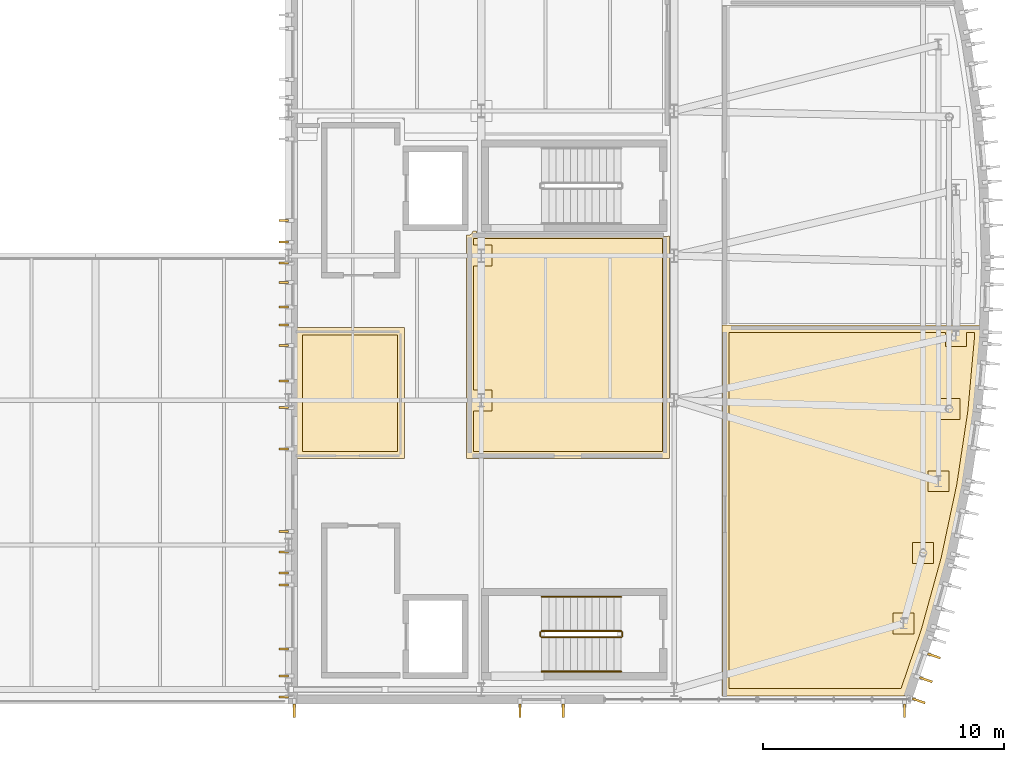
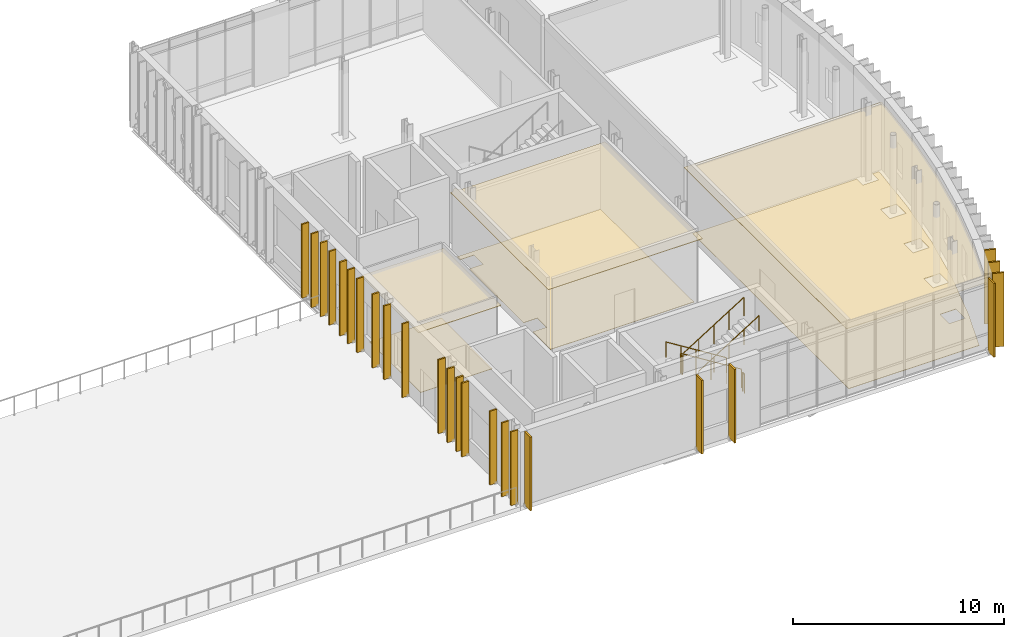
# One storey, part 60 of 62: 30 coverings, 6 railings.
"""IFC4 building model written with IfcOpenShell, lengths in metres."""

import ifcopenshell
import ifcopenshell.guid

model = None  # the IFC model being written
_history = None  # IfcOwnerHistory: only IFC2X3 demands one
_inside = {}  # id of a spatial element -> (the spatial element, [elements in it])
_under = {}  # id of a project, library or spatial element -> (it, [spatial elements below it])
_declared = {}  # id of a project -> (the project, [libraries it declares])
_typed = {}  # id of a type object -> (the type object, [elements of that type])
_made_of = {}  # id of a material, layer set ... -> (it, [elements and type objects made of it])


def new_model(schema):
    """Start an empty IFC model of exactly this schema.

    Asked for "IFC4X3", IfcOpenShell would pick the latest addendum, in which some entities
    have other attributes; the version numbers below select the first issue.
    IFC2X3 requires an IfcOwnerHistory on every rooted entity: one is made here for all.
    """
    global model, _history
    if schema == "IFC4X3":
        model = ifcopenshell.file(schema_version=(4, 3, 0, 0))
    else:
        model = ifcopenshell.file(schema=schema)
    _inside.clear()
    _under.clear()
    _declared.clear()
    _typed.clear()
    _made_of.clear()
    _history = None
    if model.schema == "IFC2X3":
        org = make("IfcOrganization", Name="unknown")
        user = make(
            "IfcPersonAndOrganization",
            ThePerson=make("IfcPerson", FamilyName="unknown"),
            TheOrganization=org,
        )
        app = make(
            "IfcApplication",
            ApplicationDeveloper=org,
            Version="unknown",
            ApplicationFullName="unknown",
            ApplicationIdentifier="unknown",
        )
        _history = make(
            "IfcOwnerHistory",
            OwningUser=user,
            OwningApplication=app,
            ChangeAction="ADDED",
            CreationDate=0,
        )
    return model


def make(cls, **values):
    """One entity of the class cls with the attributes given. An attribute that is None is left unset."""
    return model.create_entity(
        cls, **{name: value for name, value in values.items() if value is not None}
    )


def rooted(cls, **values):
    """An entity with a GlobalId (a new one), such as an element, a storey or a relation."""
    return make(cls, GlobalId=ifcopenshell.guid.new(), OwnerHistory=_history, **values)


def si_unit(unit_type, name, prefix=None):
    """IfcSIUnit, for example si_unit("LENGTHUNIT", "METRE", prefix="MILLI")."""
    return make("IfcSIUnit", UnitType=unit_type, Prefix=prefix, Name=name)


def assignment(units):
    """IfcUnitAssignment: the units of a project."""
    return None if units is None else make("IfcUnitAssignment", Units=units)


def point(xyz):
    """IfcCartesianPoint."""
    return None if xyz is None else make("IfcCartesianPoint", Coordinates=xyz)


def direction(xyz):
    """IfcDirection."""
    return None if xyz is None else make("IfcDirection", DirectionRatios=xyz)


def frame(location, z_axis=None, x_axis=None):
    """IfcAxis2Placement3D, a coordinate frame: its origin and axes. An axis left out is left unset."""
    return make(
        "IfcAxis2Placement3D",
        Location=point(location),
        Axis=direction(z_axis),
        RefDirection=direction(x_axis),
    )


def frame_2d(location, x_axis=None):
    """IfcAxis2Placement2D, a coordinate frame in the plane: its origin and x axis."""
    return make(
        "IfcAxis2Placement2D", Location=point(location), RefDirection=direction(x_axis)
    )


def origin():
    """The frame at (0, 0, 0) with its axes left unset."""
    return frame((0.0, 0.0, 0.0))


def origin_2d():
    """The frame at (0, 0) in the plane with its x axis left unset."""
    return frame_2d((0.0, 0.0))


def place(relative_to, where):
    """IfcLocalPlacement: puts the frame where relative to a parent placement (None: the world)."""
    return make(
        "IfcLocalPlacement", PlacementRelTo=relative_to, RelativePlacement=where
    )


def context(
    kind, dimensions, precision=None, world=None, true_north=None, identifier=None
):
    """IfcGeometricRepresentationContext, for example the 3D "Model" context."""
    return make(
        "IfcGeometricRepresentationContext",
        ContextIdentifier=identifier,
        ContextType=kind,
        CoordinateSpaceDimension=dimensions,
        Precision=precision,
        WorldCoordinateSystem=world,
        TrueNorth=true_north,
    )


def subcontext(parent, identifier, kind, view, scale=None):
    """IfcGeometricRepresentationSubContext, for example "Body" below "Model"."""
    return make(
        "IfcGeometricRepresentationSubContext",
        ContextIdentifier=identifier,
        ContextType=kind,
        ParentContext=parent,
        TargetScale=scale,
        TargetView=view,
    )


def project(units=None, contexts=None):
    """IfcProject with its units and contexts."""
    return rooted(
        "IfcProject",
        Name="project",
        RepresentationContexts=contexts,
        UnitsInContext=assignment(units),
    )


def spatial(cls, under=None, at=None, **own):
    """A site, building, storey or space (cls), placed at a placement, below another one or the project."""
    s = rooted(cls, ObjectPlacement=at, **own)
    if under is not None:
        _under.setdefault(under.id(), (under, []))[1].append(s)
    return s


def polyline(points):
    """IfcPolyline through the points."""
    return make("IfcPolyline", Points=[point(p) for p in points])


def profile(cls, at=None, kind="AREA", **sizes):
    """A parametric profile (cls). Its sizes go by their IFC names, for example OverallWidth=200.0."""
    return make(cls, ProfileType=kind, Position=at, **sizes)


def rectangle(**sizes):
    """IfcRectangleProfileDef."""
    return profile("IfcRectangleProfileDef", **sizes)


def circle(**sizes):
    """IfcCircleProfileDef."""
    return profile("IfcCircleProfileDef", **sizes)


def outline(outer, holes=None, kind="AREA"):
    """IfcArbitraryClosedProfileDef: a profile drawn as a closed curve; with holes, ...WithVoids."""
    if holes is None:
        return make("IfcArbitraryClosedProfileDef", ProfileType=kind, OuterCurve=outer)
    return make(
        "IfcArbitraryProfileDefWithVoids",
        ProfileType=kind,
        OuterCurve=outer,
        InnerCurves=holes,
    )


def extrude(swept, where, along, depth):
    """IfcExtrudedAreaSolid: the profile swept, set in the frame where, extruded along a direction by depth."""
    return make(
        "IfcExtrudedAreaSolid",
        SweptArea=swept,
        Position=where,
        ExtrudedDirection=direction(along),
        Depth=depth,
    )


def shape(context_of_items, identifier, shape_type, items):
    """IfcShapeRepresentation: the items that make up one representation, for example the "Body"."""
    return make(
        "IfcShapeRepresentation",
        ContextOfItems=context_of_items,
        RepresentationIdentifier=identifier,
        RepresentationType=shape_type,
        Items=items,
    )


def material(Name=None, Category=None):
    """IfcMaterial."""
    return make("IfcMaterial", Name=Name, Category=Category)


def layer(
    of_material, thickness, ventilated=None, Name=None, Category=None, Priority=None
):
    """IfcMaterialLayer: one layer of a wall or slab, of a material (None: an air gap)."""
    return make(
        "IfcMaterialLayer",
        Material=of_material,
        LayerThickness=thickness,
        IsVentilated=ventilated,
        Name=Name,
        Category=Category,
        Priority=Priority,
    )


def layer_set(layers, Name=None):
    """IfcMaterialLayerSet."""
    return make("IfcMaterialLayerSet", MaterialLayers=layers, LayerSetName=Name)


def made_of(thing, what):
    """Note that an element or type object is made of a material, layer set ...; save() writes the relation."""
    if what is not None:
        _made_of.setdefault(what.id(), (what, []))[1].append(thing)
    return thing


def type_object(cls, material=None, **own):
    """A type object (cls), such as IfcWallType, which elements share."""
    return made_of(rooted(cls, **own), material)


def element(
    cls,
    number,
    at=None,
    inside=None,
    cuts=None,
    type_object=None,
    material=None,
    context=None,
    identifier="Body",
    shape_type=None,
    held_by="IfcProductDefinitionShape",
    body=None,
    shapes=None,
    **own,
):
    """One element of the class cls, such as IfcWall. Its Tag is "e" and its number.

    at: its placement. inside: the storey or other place that contains it. cuts: it is an
    opening in that element (IfcRelVoidsElement). A single representation is given by context,
    identifier, shape_type and body (its items); several are given by shapes. held_by: the class
    of the entity that holds the representations. save() writes the other relations.
    """
    e = rooted(cls, Tag="e%d" % number, ObjectPlacement=at, **own)
    if body is not None:
        shapes = [shape(context, identifier, shape_type, body)]
    if shapes is not None:
        e.Representation = make(held_by, Representations=shapes)
    if inside is not None:
        _inside.setdefault(inside.id(), (inside, []))[1].append(e)
    if cuts is not None:
        rooted(
            "IfcRelVoidsElement", RelatingBuildingElement=cuts, RelatedOpeningElement=e
        )
    if type_object is not None:
        _typed.setdefault(type_object.id(), (type_object, []))[1].append(e)
    return made_of(e, material)


def aggregate(whole, parts):
    """IfcRelAggregates: a whole, such as a stair, and the parts it consists of."""
    return rooted("IfcRelAggregates", RelatingObject=whole, RelatedObjects=parts)


def save(model, path):
    """Write the relations noted so far, then the file.

    IfcRelAggregates (storeys below a building ...), IfcRelContainedInSpatialStructure (elements
    in a storey), IfcRelDefinesByType, IfcRelAssociatesMaterial and IfcRelDeclares: one each for
    every whole, place, type object, material and project.
    """
    for whole, parts in _under.values():
        aggregate(whole, parts)
    for where, things in _inside.values():
        rooted(
            "IfcRelContainedInSpatialStructure",
            RelatedElements=things,
            RelatingStructure=where,
        )
    for kind, things in _typed.values():
        rooted("IfcRelDefinesByType", RelatedObjects=things, RelatingType=kind)
    for what, things in _made_of.values():
        rooted("IfcRelAssociatesMaterial", RelatedObjects=things, RelatingMaterial=what)
    for by, libraries in _declared.values():
        rooted("IfcRelDeclares", RelatingContext=by, RelatedDefinitions=libraries)
    model.write(path)


model = new_model("IFC4")

# Units and contexts
model_context = context("Model", 3, precision=1e-05, world=origin(), true_north=direction((0.0, 1.0)))
body_context = subcontext(model_context, "Body", "Model", "MODEL_VIEW")
ifc_project = project(units=[si_unit("LENGTHUNIT", "METRE"), si_unit("AREAUNIT", "SQUARE_METRE"), si_unit("VOLUMEUNIT", "CUBIC_METRE"), si_unit("PLANEANGLEUNIT", "RADIAN"), si_unit("MASSUNIT", "GRAM", prefix="KILO")], contexts=[model_context])

# Site, building, storey
site_placement = place(None, origin())
site = spatial("IfcSite", under=ifc_project, at=site_placement, CompositionType="ELEMENT")
building_placement = place(site_placement, origin())
building = spatial("IfcBuilding", under=site, at=building_placement, Name="Cymarion Research Institute", CompositionType="ELEMENT")
storey_placement = place(building_placement, frame((0.0, 0.0, 18.300048828125)))
storey = spatial("IfcBuildingStorey", under=building, at=storey_placement, Name="L04", CompositionType="ELEMENT", Elevation=18.300048828125)

# Coverings
ifc_material_1 = material(Name="Micro-perforated mineral acoustic ceiling tile", Category="gypsum")
ifc_layer_1 = layer(ifc_material_1, 0.030029296875)
ifc_layer_set_1 = layer_set([ifc_layer_1], Name="Micro-perforated mineral acoustic ceiling tile")
covering_type_1 = type_object("IfcCoveringType", Name="ACOUSTIC MICRO-PERFORATED SUSPENDED CEILING CLG-01", PredefinedType="CEILING", material=ifc_layer_set_1)
covering_1_placement = place(storey_placement, frame((0.0, 0.0, 3.72998046875)))
element("IfcCovering", 1, at=covering_1_placement, inside=storey, type_object=covering_type_1, Name="L04 L04 Marine Ecology Dry Write-Up Studio acoustic ceiling", PredefinedType="CEILING", context=body_context, shape_type="SweptSolid", body=[
    extrude(outline(polyline([(143.4150390625, 20.514892578125), (143.4150390625, 15.0849609375), (138.885009765625, 15.0849609375), (138.885009765625, 20.514892578125), (143.4150390625, 20.514892578125)])), origin(), (0.0, 0.0, 1.0), 0.030029296875),
])
covering_2_placement = place(storey_placement, frame((0.0, 0.0, 3.72998046875)))
element("IfcCovering", 2, at=covering_2_placement, inside=storey, type_object=covering_type_1, Name="L04 L04 Central Electron Microscopy & Bio-Imaging Lab acoustic ceiling", PredefinedType="CEILING", context=body_context, shape_type="SweptSolid", body=[
    extrude(outline(polyline([(146.39990234375, 24.514892578125), (146.39990234375, 24.5), (146.40087890625, 24.48046875), (146.40380859375, 24.4609375), (146.40869140625, 24.44189453125), (146.415283203125, 24.423583984375), (146.423583984375, 24.40576171875), (146.43359375, 24.388916015625), (146.4453125, 24.373046875), (146.45849609375, 24.358642578125), (146.47314453125, 24.345458984375), (146.489013671875, 24.333740234375), (146.505615234375, 24.323486328125), (146.5234375, 24.315185546875), (146.5419921875, 24.30859375), (146.56103515625, 24.3037109375), (146.580322265625, 24.301025390625), (146.60009765625, 24.300048828125), (154.300048828125, 24.300048828125), (154.319580078125, 24.301025390625), (154.339111328125, 24.3037109375), (154.358154296875, 24.30859375), (154.37646484375, 24.315185546875), (154.394287109375, 24.323486328125), (154.4111328125, 24.333740234375), (154.4150390625, 24.336669921875), (154.4150390625, 15.0849609375), (145.985107421875, 15.0849609375), (145.985107421875, 24.35009765625), (146.050048828125, 24.35009765625), (146.069580078125, 24.35107421875), (146.089111328125, 24.353759765625), (146.108154296875, 24.358642578125), (146.12646484375, 24.365234375), (146.144287109375, 24.37353515625), (146.1611328125, 24.3837890625), (146.177001953125, 24.3955078125), (146.19140625, 24.40869140625), (146.20458984375, 24.423095703125), (146.21630859375, 24.43896484375), (146.226318359375, 24.455810546875), (146.23486328125, 24.473388671875), (146.241455078125, 24.491943359375), (146.24609375, 24.510986328125), (146.246826171875, 24.514892578125), (146.39990234375, 24.514892578125)])), origin(), (0.0, 0.0, 1.0), 0.030029296875),
])
covering_3_placement = place(storey_placement, frame((0.0, 0.0, 3.72998046875)))
element("IfcCovering", 3, at=covering_3_placement, inside=storey, type_object=covering_type_1, Name="L04 L04 Atmospheric & Marine Chemistry Wet Lab acoustic ceiling", PredefinedType="CEILING", context=body_context, shape_type="SweptSolid", body=[
    extrude(outline(polyline([(167.373779296875, 20.614990234375), (167.3583984375, 20.1015625), (167.080078125, 17.014404296875), (166.617431640625, 13.94921875), (165.971923828125, 10.91748046875), (165.14599609375, 7.9296875), (164.22412109375, 5.235107421875), (156.5849609375, 5.235107421875), (156.5849609375, 20.614990234375), (167.373779296875, 20.614990234375)])), origin(), (0.0, 0.0, 1.0), 0.030029296875),
])
ifc_material_2 = material(Name="Precast concrete C45/55 architectural white", Category="concrete")
ifc_layer_2 = layer(ifc_material_2, 0.090087890625)
ifc_layer_set_2 = layer_set([ifc_layer_2], Name="Precast concrete C45/55 architectural white")
covering_type_2 = type_object("IfcCoveringType", Name="ARCHITECTURAL WHITE PRECAST CONCRETE VERTICAL FIN FIN1 560MM", PredefinedType="CLADDING", material=ifc_layer_set_2)
for number, where, z_axis, x_axis, name in (
    (4, (138.840087890625, 4.617919921875, 0.009765625), (0.0, 0.0, 1.0), (0.0, -1.0, 0.0), "L04 V1 white precast vertical fin FIN1 #419"),
    (5, (148.2060546875, 4.617919921875, 0.009765625), (0.0, 0.0, 1.0), (0.0, -1.0, 0.0), "L04 V1 white precast vertical fin FIN1 #420"),
    (6, (149.99609375, 4.617919921875, 0.009765625), (0.0, 0.0, 1.0), (0.0, -1.0, 0.0), "L04 V1 white precast vertical fin FIN1 #421"),
    (7, (164.159912109375, 4.617919921875, 0.009765625), (0.0, 0.0, 1.0), (0.0, -1.0, 0.0), "L04 V1 white precast vertical fin FIN1 #422"),
    (8, (164.744384765625, 5.035888671875, 0.009765625), (0.0, 0.0, 1.0), (0.946141878672, -0.32375229022, 0.0), "L04 V1 white precast vertical fin FIN1 #423"),
    (9, (165.043701171875, 5.91064453125, 0.009765625), (0.0, 0.0, 1.0), (0.946141878672, -0.32375229022, 0.0), "L04 V1 white precast vertical fin FIN1 #424"),
    (10, (165.380615234375, 6.89453125, 0.009765625), (0.0, 0.0, 1.0), (0.946141878672, -0.32375229022, 0.0), "L04 V1 white precast vertical fin FIN1 #425"),
):
    element("IfcCovering", number, at=place(storey_placement, frame(where, z_axis=z_axis, x_axis=x_axis)), inside=storey, type_object=covering_type_2, Name=name, PredefinedType="CLADDING", context=body_context, shape_type="SweptSolid", body=[
        extrude(rectangle(XDim=0.56005859375, YDim=0.090087890625, at=origin_2d()), origin(), (0.0, 0.0, 1.0), 4.260009765625),
    ])
ifc_layer_3 = layer(ifc_material_2, 0.0849609375)
ifc_layer_set_3 = layer_set([ifc_layer_3], Name="Precast concrete C45/55 architectural white")
covering_type_3 = type_object("IfcCoveringType", Name="ARCHITECTURAL WHITE PRECAST CONCRETE VERTICAL FIN FIN3 380MM", PredefinedType="CLADDING", material=ifc_layer_set_3)
for number, where, z_axis, x_axis, name in (
    (11, (138.407958984375, 24.965087890625, 0.009765625), (0.0, 0.0, 1.0), (-1.0, 0.0, 0.0), "L04 V1 white precast vertical fin FIN3 #488"),
    (12, (138.407958984375, 24.05712890625, 0.009765625), (0.0, 0.0, 1.0), (-1.0, 0.0, 0.0), "L04 V1 white precast vertical fin FIN3 #489"),
    (13, (138.407958984375, 23.199951171875, 0.009765625), (0.0, 0.0, 1.0), (-1.0, 0.0, 0.0), "L04 V1 white precast vertical fin FIN3 #490"),
    (14, (138.407958984375, 22.389892578125, 0.009765625), (0.0, 0.0, 1.0), (-1.0, 0.0, 0.0), "L04 V1 white precast vertical fin FIN3 #491"),
    (15, (138.407958984375, 21.3701171875, 0.009765625), (0.0, 0.0, 1.0), (-1.0, 0.0, 0.0), "L04 V1 white precast vertical fin FIN3 #492"),
    (16, (138.407958984375, 20.628662109375, 0.009765625), (0.0, 0.0, 1.0), (-1.0, 0.0, 0.0), "L04 V1 white precast vertical fin FIN3 #493"),
    (17, (138.407958984375, 19.771484375, 0.009765625), (0.0, 0.0, 1.0), (-1.0, 0.0, 0.0), "L04 V1 white precast vertical fin FIN3 #494"),
    (18, (138.407958984375, 18.304931640625, 0.009765625), (0.0, 0.0, 1.0), (-1.0, 0.0, 0.0), "L04 V1 white precast vertical fin FIN3 #495"),
    (19, (138.407958984375, 17.199951171875, 0.009765625), (0.0, 0.0, 1.0), (-1.0, 0.0, 0.0), "L04 V1 white precast vertical fin FIN3 #496"),
    (20, (138.407958984375, 15.485595703125, 0.009765625), (0.0, 0.0, 1.0), (-1.0, 0.0, 0.0), "L04 V1 white precast vertical fin FIN3 #497"),
    (21, (138.407958984375, 12.05712890625, 0.009765625), (0.0, 0.0, 1.0), (-1.0, 0.0, 0.0), "L04 V1 white precast vertical fin FIN3 #498"),
    (22, (138.407958984375, 11.199951171875, 0.009765625), (0.0, 0.0, 1.0), (-1.0, 0.0, 0.0), "L04 V1 white precast vertical fin FIN3 #499"),
    (23, (138.407958984375, 10.343017578125, 0.009765625), (0.0, 0.0, 1.0), (-1.0, 0.0, 0.0), "L04 V1 white precast vertical fin FIN3 #500"),
    (24, (138.407958984375, 9.844970703125, 0.009765625), (0.0, 0.0, 1.0), (-1.0, 0.0, 0.0), "L04 V1 white precast vertical fin FIN3 #501"),
    (25, (138.407958984375, 7.175048828125, 0.009765625), (0.0, 0.0, 1.0), (-1.0, 0.0, 0.0), "L04 V1 white precast vertical fin FIN3 #502"),
    (26, (138.407958984375, 6.05712890625, 0.009765625), (0.0, 0.0, 1.0), (-1.0, 0.0, 0.0), "L04 V1 white precast vertical fin FIN3 #503"),
    (27, (138.407958984375, 5.199951171875, 0.009765625), (0.0, 0.0, 1.0), (-1.0, 0.0, 0.0), "L04 V1 white precast vertical fin FIN3 #504"),
):
    element("IfcCovering", number, at=place(storey_placement, frame(where, z_axis=z_axis, x_axis=x_axis)), inside=storey, type_object=covering_type_3, Name=name, PredefinedType="CLADDING", context=body_context, shape_type="SweptSolid", body=[
        extrude(rectangle(XDim=0.3798828125, YDim=0.0849609375, at=origin_2d()), origin(), (0.0, 0.0, 1.0), 4.260009765625),
    ])

# Railings
ifc_material_3 = material(Name="Steel S355", Category="steel")
railing_type_1 = type_object("IfcRailingType", Name="PAINTED STEEL STAIR GUARDRAIL GR1 1100MM", PredefinedType="GUARDRAIL", material=ifc_material_3)
railing_1_placement = place(storey_placement, frame((152.39990234375, 7.929931640625, 0.1875)))
element("IfcRailing", 28, at=railing_1_placement, inside=storey, type_object=railing_type_1, Name="L04 ST1 stair guard 1", PredefinedType="GUARDRAIL", context=body_context, shape_type="SweptSolid", body=[
    extrude(circle(Radius=0.02392578125, at=origin_2d()), frame((0.0, 0.0, 1.076171875), z_axis=(-0.847984204989, 0.0, 0.530021497762), x_axis=(0.0, -1.0, 0.0)), (0.0, 0.0, 1.0), 3.891357421875),
    extrude(circle(Radius=0.02099609375, at=origin_2d()), origin(), (0.0, 0.0, 1.0), 1.052001953125),
    extrude(circle(Radius=0.02099609375, at=origin_2d()), frame((-0.824951171875, 0.0, 0.515625)), (0.0, 0.0, 1.0), 1.052001953125),
    extrude(circle(Radius=0.02099609375, at=origin_2d()), frame((-1.64990234375, 0.0, 1.03125)), (0.0, 0.0, 1.0), 1.052001953125),
    extrude(circle(Radius=0.02099609375, at=origin_2d()), frame((-2.474853515625, 0.0, 1.546875)), (0.0, 0.0, 1.0), 1.052001953125),
    extrude(circle(Radius=0.02099609375, at=origin_2d()), frame((-3.2998046875, 0.0, 2.0625)), (0.0, 0.0, 1.0), 1.052001953125),
])
railing_2_placement = place(storey_placement, frame((149.050048828125, 7.8798828125, 2.25)))
element("IfcRailing", 29, at=railing_2_placement, inside=storey, type_object=railing_type_1, Name="L04 ST1 stair guard 2", PredefinedType="GUARDRAIL", context=body_context, shape_type="SweptSolid", body=[
    extrude(circle(Radius=0.02392578125, at=origin_2d()), frame((0.0, 0.0, 1.076171875), z_axis=(0.0, -1.0, 0.0), x_axis=(1.0, 0.0, 0.0)), (0.0, 0.0, 1.0), 0.159912109375),
    extrude(circle(Radius=0.02099609375, at=origin_2d()), origin(), (0.0, 0.0, 1.0), 1.052001953125),
    extrude(circle(Radius=0.02099609375, at=origin_2d()), frame((0.0, -0.159912109375, 0.0)), (0.0, 0.0, 1.0), 1.052001953125),
])
railing_3_placement = place(storey_placement, frame((149.10009765625, 7.669921875, 2.4375)))
element("IfcRailing", 30, at=railing_3_placement, inside=storey, type_object=railing_type_1, Name="L04 ST1 stair guard 3", PredefinedType="GUARDRAIL", context=body_context, shape_type="SweptSolid", body=[
    extrude(circle(Radius=0.02392578125, at=origin_2d()), frame((0.0, 0.0, 1.076171875), z_axis=(0.847984204989, 0.0, 0.530021497762), x_axis=(0.0, 1.0, 0.0)), (0.0, 0.0, 1.0), 3.891357421875),
    extrude(circle(Radius=0.02099609375, at=origin_2d()), origin(), (0.0, 0.0, 1.0), 1.052001953125),
    extrude(circle(Radius=0.02099609375, at=origin_2d()), frame((0.824951171875, 0.0, 0.515625)), (0.0, 0.0, 1.0), 1.052001953125),
    extrude(circle(Radius=0.02099609375, at=origin_2d()), frame((1.64990234375, 0.0, 1.03125)), (0.0, 0.0, 1.0), 1.052001953125),
    extrude(circle(Radius=0.02099609375, at=origin_2d()), frame((2.474853515625, 0.0, 1.546875)), (0.0, 0.0, 1.0), 1.052001953125),
    extrude(circle(Radius=0.02099609375, at=origin_2d()), frame((3.2998046875, 0.0, 2.0625)), (0.0, 0.0, 1.0), 1.052001953125),
])
railing_4_placement = place(storey_placement, frame((152.449951171875, 7.8798828125, 0.0)))
element("IfcRailing", 31, at=railing_4_placement, inside=storey, type_object=railing_type_1, Name="L04 ST1 stair guard 4", PredefinedType="GUARDRAIL", context=body_context, shape_type="SweptSolid", body=[
    extrude(circle(Radius=0.02392578125, at=origin_2d()), frame((0.0, 0.0, 1.076171875), z_axis=(0.0, -1.0, 0.0), x_axis=(1.0, 0.0, 0.0)), (0.0, 0.0, 1.0), 0.159912109375),
    extrude(circle(Radius=0.02099609375, at=origin_2d()), origin(), (0.0, 0.0, 1.0), 1.052001953125),
    extrude(circle(Radius=0.02099609375, at=origin_2d()), frame((0.0, -0.159912109375, 0.0)), (0.0, 0.0, 1.0), 1.052001953125),
])

# Coverings
ifc_material_4 = material(Name="Seamless dissipative epoxy resin flooring", Category="resin")
ifc_layer_4 = layer(ifc_material_4, 0.02001953125)
ifc_layer_set_4 = layer_set([ifc_layer_4], Name="Seamless dissipative epoxy resin flooring")
covering_type_4 = type_object("IfcCoveringType", Name="SEAMLESS ESD EPOXY LABORATORY FLOORING FLR-01", PredefinedType="FLOORING", material=ifc_layer_set_4)
covering_4_placement = place(storey_placement, origin())
element("IfcCovering", 32, at=covering_4_placement, inside=storey, type_object=covering_type_4, Name="L04 L04 Marine Ecology Dry Write-Up Studio ESD epoxy flooring", PredefinedType="FLOORING", context=body_context, shape_type="SweptSolid", body=[
    extrude(outline(polyline([(139.18505859375, 20.215087890625), (143.114990234375, 20.215087890625), (143.114990234375, 15.385009765625), (139.18505859375, 15.385009765625), (139.18505859375, 20.215087890625)])), origin(), (0.0, 0.0, 1.0), 0.02001953125),
])
covering_5_placement = place(storey_placement, origin())
element("IfcCovering", 33, at=covering_5_placement, inside=storey, type_object=covering_type_4, Name="L04 L04 Central Electron Microscopy & Bio-Imaging Lab ESD epoxy flooring", PredefinedType="FLOORING", context=body_context, shape_type="SweptSolid", body=[
    extrude(outline(polyline([(146.284912109375, 17.06494140625), (147.034912109375, 17.06494140625), (147.034912109375, 17.93505859375), (146.284912109375, 17.93505859375), (146.284912109375, 23.06494140625), (147.034912109375, 23.06494140625), (147.034912109375, 23.93505859375), (146.284912109375, 23.93505859375), (146.284912109375, 24.215087890625), (154.114990234375, 24.215087890625), (154.114990234375, 15.385009765625), (146.284912109375, 15.385009765625), (146.284912109375, 17.06494140625)])), origin(), (0.0, 0.0, 1.0), 0.02001953125),
])
covering_6_placement = place(storey_placement, origin())
element("IfcCovering", 34, at=covering_6_placement, inside=storey, type_object=covering_type_4, Name="L04 L04 Atmospheric & Marine Chemistry Wet Lab ESD epoxy flooring", PredefinedType="FLOORING", context=body_context, shape_type="SweptSolid", body=[
    extrude(outline(polyline([(156.885009765625, 20.31494140625), (165.8505859375, 20.31494140625), (165.8505859375, 19.73095703125), (166.720458984375, 19.73095703125), (166.720458984375, 20.31494140625), (167.064697265625, 20.31494140625), (167.058837890625, 20.11962890625), (166.7822265625, 17.05029296875), (166.322021484375, 14.0029296875), (165.680419921875, 10.98876953125), (164.859130859375, 8.018310546875), (164.009521484375, 5.534912109375), (156.885009765625, 5.534912109375), (156.885009765625, 20.31494140625)]), holes=[polyline([(165.577880859375, 17.577880859375), (165.577880859375, 16.707763671875), (166.447998046875, 16.707763671875), (166.447998046875, 17.577880859375), (165.577880859375, 17.577880859375)]), polyline([(165.125, 14.576416015625), (165.125, 13.70654296875), (165.994873046875, 13.70654296875), (165.994873046875, 14.576416015625), (165.125, 14.576416015625)]), polyline([(164.492919921875, 11.607666015625), (164.492919921875, 10.73779296875), (165.36279296875, 10.73779296875), (165.36279296875, 11.607666015625), (164.492919921875, 11.607666015625)]), polyline([(163.68408203125, 8.681884765625), (163.68408203125, 7.81201171875), (164.553955078125, 7.81201171875), (164.553955078125, 8.681884765625), (163.68408203125, 8.681884765625)])]), origin(), (0.0, 0.0, 1.0), 0.02001953125),
])

# Railings
railing_type_2 = type_object("IfcRailingType", Name="STAINLESS STEEL STAIR HANDRAIL HR1 900MM", PredefinedType="HANDRAIL", material=ifc_material_3)
railing_5_placement = place(storey_placement, frame((152.39990234375, 9.35009765625, 0.1875)))
element("IfcRailing", 35, at=railing_5_placement, inside=storey, type_object=railing_type_2, Name="L04 ST1 stair handrail 1", PredefinedType="HANDRAIL", context=body_context, shape_type="SweptSolid", body=[
    extrude(circle(Radius=0.02392578125, at=origin_2d()), frame((0.0, 0.0, 0.8759765625), z_axis=(-0.847984204989, 0.0, 0.530021497762), x_axis=(0.0, -1.0, 0.0)), (0.0, 0.0, 1.0), 3.891357421875),
    extrude(circle(Radius=0.02099609375, at=origin_2d()), origin(), (0.0, 0.0, 1.0), 0.851806640625),
    extrude(circle(Radius=0.02099609375, at=origin_2d()), frame((-0.824951171875, 0.0, 0.515625)), (0.0, 0.0, 1.0), 0.851806640625),
    extrude(circle(Radius=0.02099609375, at=origin_2d()), frame((-1.64990234375, 0.0, 1.03125)), (0.0, 0.0, 1.0), 0.851806640625),
    extrude(circle(Radius=0.02099609375, at=origin_2d()), frame((-2.474853515625, 0.0, 1.546875)), (0.0, 0.0, 1.0), 0.851806640625),
    extrude(circle(Radius=0.02099609375, at=origin_2d()), frame((-3.2998046875, 0.0, 2.0625)), (0.0, 0.0, 1.0), 0.851806640625),
])
railing_6_placement = place(storey_placement, frame((149.10009765625, 6.25, 2.4375)))
element("IfcRailing", 36, at=railing_6_placement, inside=storey, type_object=railing_type_2, Name="L04 ST1 stair handrail 2", PredefinedType="HANDRAIL", context=body_context, shape_type="SweptSolid", body=[
    extrude(circle(Radius=0.02392578125, at=origin_2d()), frame((0.0, 0.0, 0.8759765625), z_axis=(0.847984204989, 0.0, 0.530021497762), x_axis=(0.0, 1.0, 0.0)), (0.0, 0.0, 1.0), 3.891357421875),
    extrude(circle(Radius=0.02099609375, at=origin_2d()), origin(), (0.0, 0.0, 1.0), 0.851806640625),
    extrude(circle(Radius=0.02099609375, at=origin_2d()), frame((0.824951171875, 0.0, 0.515625)), (0.0, 0.0, 1.0), 0.851806640625),
    extrude(circle(Radius=0.02099609375, at=origin_2d()), frame((1.64990234375, 0.0, 1.03125)), (0.0, 0.0, 1.0), 0.851806640625),
    extrude(circle(Radius=0.02099609375, at=origin_2d()), frame((2.474853515625, 0.0, 1.546875)), (0.0, 0.0, 1.0), 0.851806640625),
    extrude(circle(Radius=0.02099609375, at=origin_2d()), frame((3.2998046875, 0.0, 2.0625)), (0.0, 0.0, 1.0), 0.851806640625),
])

save(model, "model.ifc")
